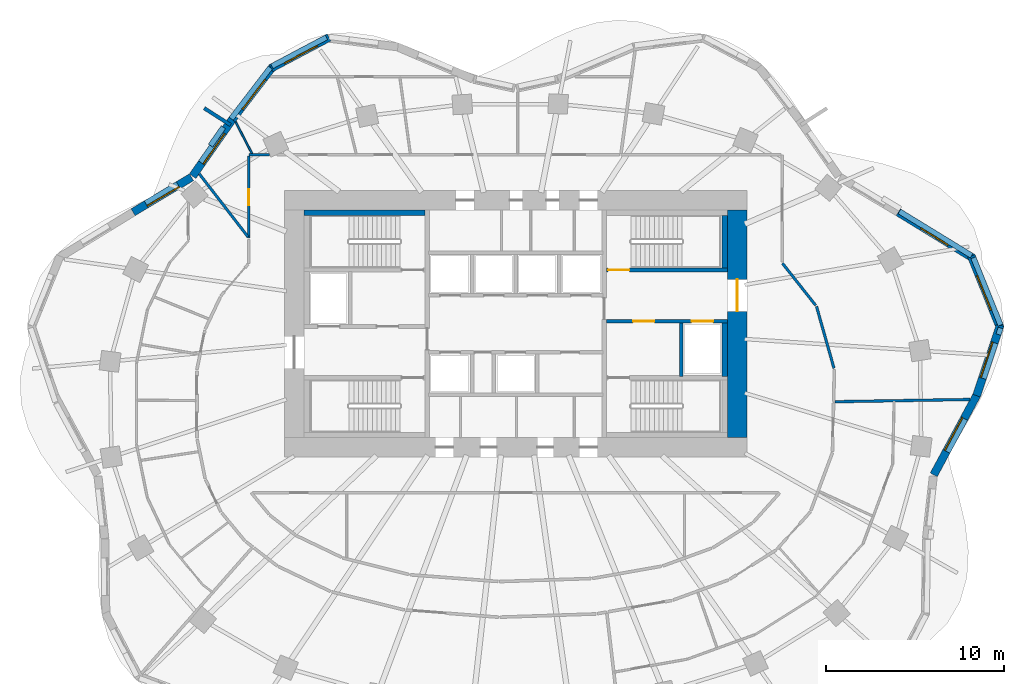
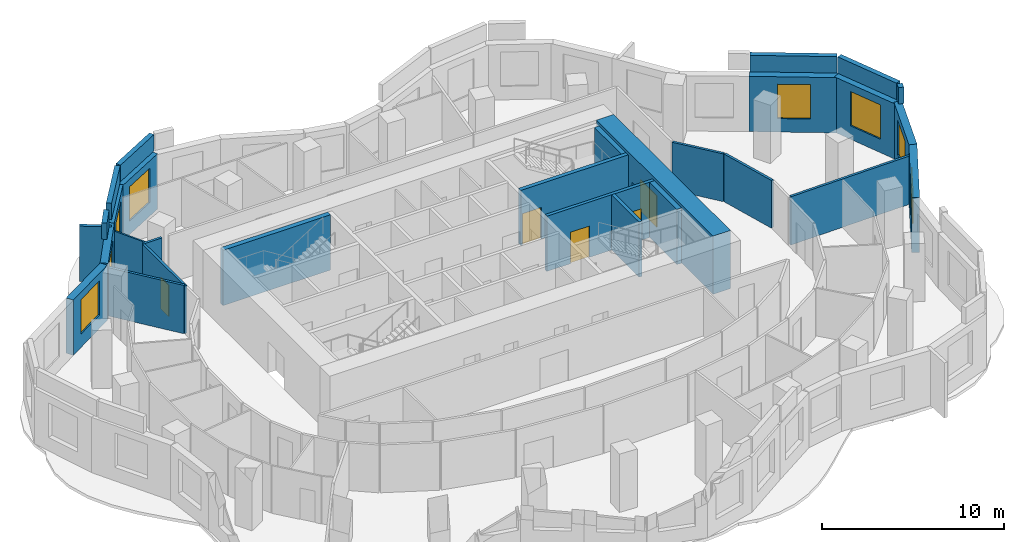
# One storey, part 7 of 10: 29 walls, 8 windows, 5 doors, 13 openings.
"""IFC4 building model written with IfcOpenShell, lengths in metres."""

from ifc_helpers import new_model, si_unit, direction, frame, frame_2d, origin, place, context, subcontext, project, spatial, rectangle, extrude, material, layer, layer_set, type_object, element, fill, save


model = new_model("IFC4")

# Units and contexts
model_context = context("Model", 3, precision=1e-05, world=origin(), true_north=direction((0.0, 1.0)))
body_context = subcontext(model_context, "Body", "Model", "MODEL_VIEW")
ifc_project = project(units=[si_unit("LENGTHUNIT", "METRE"), si_unit("AREAUNIT", "SQUARE_METRE"), si_unit("VOLUMEUNIT", "CUBIC_METRE"), si_unit("PLANEANGLEUNIT", "RADIAN"), si_unit("MASSUNIT", "GRAM", prefix="KILO")], contexts=[model_context])

# Site, building, storey
site_placement = place(None, origin())
site = spatial("IfcSite", under=ifc_project, at=site_placement, CompositionType="ELEMENT")
building_placement = place(site_placement, origin())
building = spatial("IfcBuilding", under=site, at=building_placement, Name="Rubra Terraces Tower", CompositionType="ELEMENT")
storey_placement = place(building_placement, frame((0.0, 0.0, 157.800048828125)))
storey = spatial("IfcBuildingStorey", under=building, at=storey_placement, Name="L38", CompositionType="ELEMENT", Elevation=157.800048828125)

# Wall, opening, window
ifc_material_1 = material(Name="Brick masonry red-brown", Category="masonry")
ifc_layer_1 = layer(ifc_material_1, 0.449951171875)
ifc_layer_set_1 = layer_set([ifc_layer_1], Name="Brick masonry red-brown")
wall_type_1 = type_object("IfcWallType", Name="Brick facade wall 450", PredefinedType="SOLIDWALL", material=ifc_layer_set_1)
wall_1_placement = place(storey_placement, frame((25.916748046875, 0.459228515625, 0.0), z_axis=(0.0, 0.0, 1.0), x_axis=(0.318032670005, 0.948079754456, 0.0)))
wall_1 = element("IfcWall", 1, at=wall_1_placement, inside=storey, type_object=wall_type_1, Name="Facade wall L38 bay 1", PredefinedType="SOLIDWALL", context=body_context, shape_type="SweptSolid", body=[
    extrude(rectangle(XDim=4.178466796875, YDim=0.449951171875, at=frame_2d((2.08935546875, 0.0))), origin(), (0.0, 0.0, 1.0), 3.699951171875),
])
opening_1_placement = place(wall_1_placement, frame((1.039306640625, 0.0, 0.89990234375)))
opening_1 = element("IfcOpeningElement", 2, at=opening_1_placement, cuts=wall_1, Name="Opening W1B", PredefinedType="OPENING", context=body_context, shape_type="SweptSolid", body=[
    extrude(rectangle(XDim=2.10009765625, YDim=2.300048828125, at=frame_2d((1.050048828125, 1.14990234375))), frame((0.0, 0.23486328125, 0.0), z_axis=(0.0, -1.0, 0.0), x_axis=(1.0, 0.0, 0.0)), (0.0, 0.0, 1.0), 0.469970703125),
])
ifc_material_2 = material(Name="Clear glass in aluminium frame", Category="aluminium")
window_type_1 = type_object("IfcWindowType", Name="Fixed deep-set window tall storey 2100 x 2300", PartitioningType="SINGLE_PANEL", PredefinedType="WINDOW", material=ifc_material_2)
window_1_placement = place(opening_1_placement, origin())
window_1 = element("IfcWindow", 3, at=window_1_placement, inside=storey, type_object=window_type_1, Name="Window L38 bay 1", OverallHeight=2.300048828125, OverallWidth=2.10009765625, PartitioningType="SINGLE_PANEL", PredefinedType="WINDOW", context=body_context, shape_type="SweptSolid", body=[
    extrude(rectangle(XDim=2.10009765625, YDim=2.300048828125, at=frame_2d((1.050048828125, 1.14990234375))), frame((0.0, 0.135009765625, 0.0), z_axis=(0.0, -1.0, 0.0), x_axis=(1.0, 0.0, 0.0)), (0.0, 0.0, 1.0), 0.06005859375),
])
fill(opening_1, window_1)

wall_2_placement = place(storey_placement, frame((27.250244140625, 4.264892578125, 0.0), z_axis=(0.0, 0.0, 1.0), x_axis=(-0.373899958574, 0.927469040442, 0.0)))
wall_2 = element("IfcWall", 4, at=wall_2_placement, inside=storey, type_object=wall_type_1, Name="Facade wall L38 bay 2", PredefinedType="SOLIDWALL", context=body_context, shape_type="SweptSolid", body=[
    extrude(rectangle(XDim=4.359130859375, YDim=0.449951171875, at=frame_2d((2.1796875, 0.0))), origin(), (0.0, 0.0, 1.0), 3.699951171875),
])
opening_2_placement = place(wall_2_placement, frame((1.129638671875, 0.0, 0.89990234375)))
opening_2 = element("IfcOpeningElement", 5, at=opening_2_placement, cuts=wall_2, Name="Opening W1B", PredefinedType="OPENING", context=body_context, shape_type="SweptSolid", body=[
    extrude(rectangle(XDim=2.10009765625, YDim=2.300048828125, at=frame_2d((1.050048828125, 1.14990234375))), frame((0.0, 0.23486328125, 0.0), z_axis=(0.0, -1.0, 0.0), x_axis=(1.0, 0.0, 0.0)), (0.0, 0.0, 1.0), 0.469970703125),
])
window_2_placement = place(opening_2_placement, origin())
window_2 = element("IfcWindow", 6, at=window_2_placement, inside=storey, type_object=window_type_1, Name="Window L38 bay 2", OverallHeight=2.300048828125, OverallWidth=2.10009765625, PartitioningType="SINGLE_PANEL", PredefinedType="WINDOW", context=body_context, shape_type="SweptSolid", body=[
    extrude(rectangle(XDim=2.10009765625, YDim=2.300048828125, at=frame_2d((1.050048828125, 1.14990234375))), frame((0.0, 0.135009765625, 0.0), z_axis=(0.0, -1.0, 0.0), x_axis=(1.0, 0.0, 0.0)), (0.0, 0.0, 1.0), 0.06005859375),
])
fill(opening_2, window_2)

wall_3_placement = place(storey_placement, frame((25.70751953125, 8.202392578125, 0.0), z_axis=(0.0, 0.0, 1.0), x_axis=(-0.852620493358, 0.522530663507, 0.0)))
wall_3 = element("IfcWall", 7, at=wall_3_placement, inside=storey, type_object=wall_type_1, Name="Facade wall L38 bay 3", PredefinedType="SOLIDWALL", context=body_context, shape_type="SweptSolid", body=[
    extrude(rectangle(XDim=4.923583984375, YDim=0.449951171875, at=frame_2d((2.4619140625, 0.0))), origin(), (0.0, 0.0, 1.0), 3.699951171875),
])
opening_3_placement = place(wall_3_placement, frame((1.561767578125, 0.0, 0.89990234375)))
opening_3 = element("IfcOpeningElement", 8, at=opening_3_placement, cuts=wall_3, Name="Opening W6B", PredefinedType="OPENING", context=body_context, shape_type="SweptSolid", body=[
    extrude(rectangle(XDim=1.800048828125, YDim=2.300048828125, at=frame_2d((0.89990234375, 1.14990234375))), frame((0.0, 0.23486328125, 0.0), z_axis=(0.0, -1.0, 0.0), x_axis=(1.0, 0.0, 0.0)), (0.0, 0.0, 1.0), 0.469970703125),
])
window_type_2 = type_object("IfcWindowType", Name="Fixed deep-set window at wind fin tall storey 1800 x 2300", PartitioningType="SINGLE_PANEL", PredefinedType="WINDOW", material=ifc_material_2)
window_3_placement = place(opening_3_placement, origin())
window_3 = element("IfcWindow", 9, at=window_3_placement, inside=storey, type_object=window_type_2, Name="Window L38 bay 3", OverallHeight=2.300048828125, OverallWidth=1.800048828125, PartitioningType="SINGLE_PANEL", PredefinedType="WINDOW", context=body_context, shape_type="SweptSolid", body=[
    extrude(rectangle(XDim=1.800048828125, YDim=2.300048828125, at=frame_2d((0.89990234375, 1.14990234375))), frame((0.0, 0.135009765625, 0.0), z_axis=(0.0, -1.0, 0.0), x_axis=(1.0, 0.0, 0.0)), (0.0, 0.0, 1.0), 0.06005859375),
])
fill(opening_3, window_3)

wall_4_placement = place(storey_placement, frame((-10.49169921875, 20.60009765625, 0.0), z_axis=(0.0, 0.0, 1.0), x_axis=(-0.883502778071, -0.46842591852, 0.0)))
wall_4 = element("IfcWall", 10, at=wall_4_placement, inside=storey, type_object=wall_type_1, Name="Facade wall L38 bay 14", PredefinedType="SOLIDWALL", context=body_context, shape_type="SweptSolid", body=[
    extrude(rectangle(XDim=3.6884765625, YDim=0.449951171875, at=frame_2d((1.84423828125, 0.0))), origin(), (0.0, 0.0, 1.0), 3.699951171875),
])
opening_4_placement = place(wall_4_placement, frame((0.79443359375, 0.0, 0.89990234375)))
opening_4 = element("IfcOpeningElement", 11, at=opening_4_placement, cuts=wall_4, Name="Opening W1B", PredefinedType="OPENING", context=body_context, shape_type="SweptSolid", body=[
    extrude(rectangle(XDim=2.10009765625, YDim=2.300048828125, at=frame_2d((1.050048828125, 1.14990234375))), frame((0.0, 0.23486328125, 0.0), z_axis=(0.0, -1.0, 0.0), x_axis=(1.0, 0.0, 0.0)), (0.0, 0.0, 1.0), 0.469970703125),
])
window_4_placement = place(opening_4_placement, origin())
window_4 = element("IfcWindow", 12, at=window_4_placement, inside=storey, type_object=window_type_1, Name="Window L38 bay 14", OverallHeight=2.300048828125, OverallWidth=2.10009765625, PartitioningType="SINGLE_PANEL", PredefinedType="WINDOW", context=body_context, shape_type="SweptSolid", body=[
    extrude(rectangle(XDim=2.10009765625, YDim=2.300048828125, at=frame_2d((1.050048828125, 1.14990234375))), frame((0.0, 0.135009765625, 0.0), z_axis=(0.0, -1.0, 0.0), x_axis=(1.0, 0.0, 0.0)), (0.0, 0.0, 1.0), 0.06005859375),
])
fill(opening_4, window_4)

wall_5_placement = place(storey_placement, frame((-13.678955078125, 18.93212890625, 0.0), z_axis=(0.0, 0.0, 1.0), x_axis=(-0.608206493093, -0.793778849403, 0.0)))
wall_5 = element("IfcWall", 13, at=wall_5_placement, inside=storey, type_object=wall_type_1, Name="Facade wall L38 bay 15", PredefinedType="SOLIDWALL", context=body_context, shape_type="SweptSolid", body=[
    extrude(rectangle(XDim=3.712646484375, YDim=0.449951171875, at=frame_2d((1.8564453125, 0.0))), origin(), (0.0, 0.0, 1.0), 3.699951171875),
])
opening_5_placement = place(wall_5_placement, frame((0.806396484375, 0.0, 0.89990234375)))
opening_5 = element("IfcOpeningElement", 14, at=opening_5_placement, cuts=wall_5, Name="Opening W1B", PredefinedType="OPENING", context=body_context, shape_type="SweptSolid", body=[
    extrude(rectangle(XDim=2.10009765625, YDim=2.300048828125, at=frame_2d((1.050048828125, 1.14990234375))), frame((0.0, 0.23486328125, 0.0), z_axis=(0.0, -1.0, 0.0), x_axis=(1.0, 0.0, 0.0)), (0.0, 0.0, 1.0), 0.469970703125),
])
window_5_placement = place(opening_5_placement, origin())
window_5 = element("IfcWindow", 15, at=window_5_placement, inside=storey, type_object=window_type_1, Name="Window L38 bay 15", OverallHeight=2.300048828125, OverallWidth=2.10009765625, PartitioningType="SINGLE_PANEL", PredefinedType="WINDOW", context=body_context, shape_type="SweptSolid", body=[
    extrude(rectangle(XDim=2.10009765625, YDim=2.300048828125, at=frame_2d((1.050048828125, 1.14990234375))), frame((0.0, 0.135009765625, 0.0), z_axis=(0.0, -1.0, 0.0), x_axis=(1.0, 0.0, 0.0)), (0.0, 0.0, 1.0), 0.06005859375),
])
fill(opening_5, window_5)

wall_6_placement = place(storey_placement, frame((-15.93115234375, 15.992919921875, 0.0), z_axis=(0.0, 0.0, 1.0), x_axis=(-0.572923675708, -0.819608724828, 0.0)))
wall_6 = element("IfcWall", 16, at=wall_6_placement, inside=storey, type_object=wall_type_1, Name="Facade wall L38 bay 16", PredefinedType="SOLIDWALL", context=body_context, shape_type="SweptSolid", body=[
    extrude(rectangle(XDim=3.89453125, YDim=0.449951171875, at=frame_2d((1.947265625, 0.0))), origin(), (0.0, 0.0, 1.0), 3.699951171875),
])
opening_6_placement = place(wall_6_placement, frame((0.897216796875, 0.0, 0.89990234375)))
opening_6 = element("IfcOpeningElement", 17, at=opening_6_placement, cuts=wall_6, Name="Opening W1B", PredefinedType="OPENING", context=body_context, shape_type="SweptSolid", body=[
    extrude(rectangle(XDim=2.10009765625, YDim=2.300048828125, at=frame_2d((1.050048828125, 1.14990234375))), frame((0.0, 0.23486328125, 0.0), z_axis=(0.0, -1.0, 0.0), x_axis=(1.0, 0.0, 0.0)), (0.0, 0.0, 1.0), 0.469970703125),
])
window_6_placement = place(opening_6_placement, origin())
window_6 = element("IfcWindow", 18, at=window_6_placement, inside=storey, type_object=window_type_1, Name="Window L38 bay 16", OverallHeight=2.300048828125, OverallWidth=2.10009765625, PartitioningType="SINGLE_PANEL", PredefinedType="WINDOW", context=body_context, shape_type="SweptSolid", body=[
    extrude(rectangle(XDim=2.10009765625, YDim=2.300048828125, at=frame_2d((1.050048828125, 1.14990234375))), frame((0.0, 0.135009765625, 0.0), z_axis=(0.0, -1.0, 0.0), x_axis=(1.0, 0.0, 0.0)), (0.0, 0.0, 1.0), 0.06005859375),
])
fill(opening_6, window_6)

wall_7_placement = place(storey_placement, frame((-18.224853515625, 12.74169921875, 0.0), z_axis=(0.0, 0.0, 1.0), x_axis=(-0.857965073766, -0.513708022322, 0.0)))
wall_7 = element("IfcWall", 19, at=wall_7_placement, inside=storey, type_object=wall_type_1, Name="Facade wall L38 bay 17", PredefinedType="SOLIDWALL", context=body_context, shape_type="SweptSolid", body=[
    extrude(rectangle(XDim=3.82958984375, YDim=0.449951171875, at=frame_2d((1.914794921875, 0.0))), origin(), (0.0, 0.0, 1.0), 3.699951171875),
])
opening_7_placement = place(wall_7_placement, frame((0.86474609375, 0.0, 0.89990234375)))
opening_7 = element("IfcOpeningElement", 20, at=opening_7_placement, cuts=wall_7, Name="Opening W1B", PredefinedType="OPENING", context=body_context, shape_type="SweptSolid", body=[
    extrude(rectangle(XDim=2.10009765625, YDim=2.300048828125, at=frame_2d((1.050048828125, 1.14990234375))), frame((0.0, 0.23486328125, 0.0), z_axis=(0.0, -1.0, 0.0), x_axis=(1.0, 0.0, 0.0)), (0.0, 0.0, 1.0), 0.469970703125),
])
window_7_placement = place(opening_7_placement, origin())
window_7 = element("IfcWindow", 21, at=window_7_placement, inside=storey, type_object=window_type_1, Name="Window L38 bay 17", OverallHeight=2.300048828125, OverallWidth=2.10009765625, PartitioningType="SINGLE_PANEL", PredefinedType="WINDOW", context=body_context, shape_type="SweptSolid", body=[
    extrude(rectangle(XDim=2.10009765625, YDim=2.300048828125, at=frame_2d((1.050048828125, 1.14990234375))), frame((0.0, 0.135009765625, 0.0), z_axis=(0.0, -1.0, 0.0), x_axis=(1.0, 0.0, 0.0)), (0.0, 0.0, 1.0), 0.06005859375),
])
fill(opening_7, window_7)

wall_8_placement = place(storey_placement, frame((23.508056640625, -3.990478515625, 0.0), z_axis=(0.0, 0.0, 1.0), x_axis=(0.475469958794, 0.879731958203, 0.0)))
wall_8 = element("IfcWall", 22, at=wall_8_placement, inside=storey, type_object=wall_type_1, Name="Facade wall L38 bay 40", PredefinedType="SOLIDWALL", context=body_context, shape_type="SweptSolid", body=[
    extrude(rectangle(XDim=5.09814453125, YDim=0.449951171875, at=frame_2d((2.549072265625, 0.0))), origin(), (0.0, 0.0, 1.0), 3.699951171875),
])
opening_8_placement = place(wall_8_placement, frame((1.4990234375, 0.0, 0.89990234375)))
opening_8 = element("IfcOpeningElement", 23, at=opening_8_placement, cuts=wall_8, Name="Opening W1B", PredefinedType="OPENING", context=body_context, shape_type="SweptSolid", body=[
    extrude(rectangle(XDim=2.10009765625, YDim=2.300048828125, at=frame_2d((1.050048828125, 1.14990234375))), frame((0.0, 0.23486328125, 0.0), z_axis=(0.0, -1.0, 0.0), x_axis=(1.0, 0.0, 0.0)), (0.0, 0.0, 1.0), 0.469970703125),
])
window_8_placement = place(opening_8_placement, origin())
window_8 = element("IfcWindow", 24, at=window_8_placement, inside=storey, type_object=window_type_1, Name="Window L38 bay 40", OverallHeight=2.300048828125, OverallWidth=2.10009765625, PartitioningType="SINGLE_PANEL", PredefinedType="WINDOW", context=body_context, shape_type="SweptSolid", body=[
    extrude(rectangle(XDim=2.10009765625, YDim=2.300048828125, at=frame_2d((1.050048828125, 1.14990234375))), frame((0.0, 0.135009765625, 0.0), z_axis=(0.0, -1.0, 0.0), x_axis=(1.0, 0.0, 0.0)), (0.0, 0.0, 1.0), 0.06005859375),
])
fill(opening_8, window_8)

# Walls
ifc_layer_2 = layer(ifc_material_1, 0.300048828125)
ifc_layer_set_2 = layer_set([ifc_layer_2], Name="Brick masonry red-brown")
wall_type_2 = type_object("IfcWallType", Name="Brick parapet 300", PredefinedType="PARAPET", material=ifc_layer_set_2)
wall_9_placement = place(storey_placement, frame((27.14990234375, 3.89892578125, 3.89990234375), z_axis=(0.0, 0.0, 1.0), x_axis=(0.317752569667, 0.948173667885, 0.0)))
element("IfcWall", 25, at=wall_9_placement, inside=storey, type_object=wall_type_2, Name="Parapet L38 bay 1", PredefinedType="PARAPET", context=body_context, shape_type="SweptSolid", body=[
    extrude(rectangle(XDim=0.38427734375, YDim=0.300048828125, at=frame_2d((0.192138671875, 0.0))), origin(), (0.0, 0.0, 1.0), 1.10009765625),
])
wall_10_placement = place(storey_placement, frame((27.267333984375, 4.42333984375, 3.89990234375), z_axis=(0.0, 0.0, 1.0), x_axis=(-0.373941833041, 0.927452158066, 0.0)))
element("IfcWall", 26, at=wall_10_placement, inside=storey, type_object=wall_type_2, Name="Parapet L38 bay 2", PredefinedType="PARAPET", context=body_context, shape_type="SweptSolid", body=[
    extrude(rectangle(XDim=4.089599609375, YDim=0.300048828125, at=frame_2d((2.044921875, 0.0))), origin(), (0.0, 0.0, 1.0), 1.10009765625),
])
wall_11_placement = place(storey_placement, frame((25.640625, 8.33154296875, 3.89990234375), z_axis=(0.0, 0.0, 1.0), x_axis=(-0.85262629133, 0.522521202758, 0.0)))
element("IfcWall", 27, at=wall_11_placement, inside=storey, type_object=wall_type_2, Name="Parapet L38 bay 3", PredefinedType="PARAPET", context=body_context, shape_type="SweptSolid", body=[
    extrude(rectangle(XDim=4.764404296875, YDim=0.300048828125, at=frame_2d((2.38232421875, 0.0))), origin(), (0.0, 0.0, 1.0), 1.10009765625),
])
wall_12_placement = place(storey_placement, frame((-10.63720703125, 20.60791015625, 3.89990234375), z_axis=(0.0, 0.0, 1.0), x_axis=(-0.88348638041, -0.468456845003, 0.0)))
element("IfcWall", 28, at=wall_12_placement, inside=storey, type_object=wall_type_2, Name="Parapet L38 bay 14", PredefinedType="PARAPET", context=body_context, shape_type="SweptSolid", body=[
    extrude(rectangle(XDim=3.46826171875, YDim=0.300048828125, at=frame_2d((1.734130859375, 0.0))), origin(), (0.0, 0.0, 1.0), 1.10009765625),
])
wall_13_placement = place(storey_placement, frame((-13.794921875, 18.904052734375, 3.89990234375), z_axis=(0.0, 0.0, 1.0), x_axis=(-0.608203510632, -0.793781134605, 0.0)))
element("IfcWall", 29, at=wall_13_placement, inside=storey, type_object=wall_type_2, Name="Parapet L38 bay 15", PredefinedType="PARAPET", context=body_context, shape_type="SweptSolid", body=[
    extrude(rectangle(XDim=3.619140625, YDim=0.300048828125, at=frame_2d((1.8095703125, 0.0))), origin(), (0.0, 0.0, 1.0), 1.10009765625),
])
wall_14_placement = place(storey_placement, frame((-16.431396484375, 15.553466796875, 3.89990234375), z_axis=(0.0, 0.0, 1.0), x_axis=(-0.572902892741, -0.819623252165, 0.0)))
element("IfcWall", 30, at=wall_14_placement, inside=storey, type_object=wall_type_2, Name="Parapet L38 bay 16", PredefinedType="PARAPET", context=body_context, shape_type="SweptSolid", body=[
    extrude(rectangle(XDim=1.259765625, YDim=0.300048828125, at=frame_2d((0.6298828125, 0.0))), origin(), (0.0, 0.0, 1.0), 1.10009765625),
])
ifc_layer_3 = layer(ifc_material_1, 0.199951171875)
ifc_layer_set_3 = layer_set([ifc_layer_3], Name="Brick masonry red-brown")
wall_type_3 = type_object("IfcWallType", Name="Brick wind fin 200", PredefinedType="SOLIDWALL", material=ifc_layer_set_3)
wall_15_placement = place(storey_placement, frame((-16.032958984375, 15.679931640625, 0.0), z_axis=(0.0, 0.0, 1.0), x_axis=(-0.842083858075, 0.539346619503, 0.0)))
element("IfcWall", 31, at=wall_15_placement, inside=storey, type_object=wall_type_3, Name="Wind fin L38 8", PredefinedType="SOLIDWALL", context=body_context, shape_type="SweptSolid", body=[
    extrude(rectangle(XDim=1.75, YDim=0.199951171875, at=frame_2d((0.875, 0.0))), origin(), (0.0, 0.0, 1.0), 3.699951171875),
])

# Wall, opening, door
ifc_material_3 = material(Name="Concrete C60", Category="concrete")
ifc_layer_4 = layer(ifc_material_3, 1.10009765625)
ifc_layer_set_4 = layer_set([ifc_layer_4], Name="Concrete C60")
wall_type_4 = type_object("IfcWallType", Name="CORE WALL 1100 C60", PredefinedType="SHEAR", material=ifc_layer_set_4)
wall_16_placement = place(storey_placement, frame((12.449951171875, -1.89990234375, 0.0), z_axis=(0.0, 0.0, 1.0), x_axis=(0.0, 1.0, 0.0)))
wall_16 = element("IfcWall", 32, at=wall_16_placement, inside=storey, type_object=wall_type_4, Name="CORE WALL E L38", PredefinedType="SHEAR", context=body_context, shape_type="SweptSolid", body=[
    extrude(rectangle(XDim=12.7998046875, YDim=1.10009765625, at=frame_2d((6.39990234375, 0.0))), origin(), (0.0, 0.0, 1.0), 3.89990234375),
])
opening_9_placement = place(wall_16_placement, frame((7.10009765625, 0.0, 0.0)))
opening_9 = element("IfcOpeningElement", 33, at=opening_9_placement, cuts=wall_16, Name="Opening L38.C02", PredefinedType="OPENING", context=body_context, shape_type="SweptSolid", body=[
    extrude(rectangle(XDim=1.800048828125, YDim=2.10009765625, at=frame_2d((0.89990234375, 1.050048828125))), frame((0.0, 0.56005859375, 0.0), z_axis=(0.0, -1.0, 0.0), x_axis=(1.0, 0.0, 0.0)), (0.0, 0.0, 1.0), 1.1201171875),
])
ifc_material_4 = material(Name="Painted steel", Category="steel")
door_type_1 = type_object("IfcDoorType", Name="Fire door 1800x2100 double", OperationType="NOTDEFINED", PredefinedType="DOOR", material=ifc_material_4)
door_1_placement = place(opening_9_placement, origin())
door_1 = element("IfcDoor", 34, at=door_1_placement, inside=storey, type_object=door_type_1, Name="Core entrance door FF2", OperationType="DOUBLE_DOOR_SINGLE_SWING", OverallHeight=2.10009765625, OverallWidth=1.800048828125, PredefinedType="DOOR", context=body_context, shape_type="SweptSolid", body=[
    extrude(rectangle(XDim=1.800048828125, YDim=2.10009765625, at=frame_2d((0.89990234375, 1.050048828125))), frame((0.0, 0.02490234375, 0.0), z_axis=(0.0, -1.0, 0.0), x_axis=(1.0, 0.0, 0.0)), (0.0, 0.0, 1.0), 0.050048828125),
])
fill(opening_9, door_1)

# Walls
ifc_material_5 = material(Name="Plasterboard on steel stud, mineral wool infill", Category="steel")
ifc_layer_5 = layer(ifc_material_5, 0.14990234375)
ifc_layer_set_5 = layer_set([ifc_layer_5], Name="Plasterboard on steel stud, mineral wool infill")
wall_type_5 = type_object("IfcWallType", Name="CORRIDOR PARTITION 150", PredefinedType="PARTITIONING", material=ifc_layer_set_5)
wall_17_placement = place(storey_placement, frame((17.89990234375, 1.999755859375, 0.0), z_axis=(0.0, 0.0, 1.0), x_axis=(-0.271937977746, 0.962314780235, 0.0)))
element("IfcWall", 35, at=wall_17_placement, inside=storey, type_object=wall_type_5, Name="PARTITION", PredefinedType="PARTITIONING", context=body_context, shape_type="SweptSolid", body=[
    extrude(rectangle(XDim=3.6162109375, YDim=0.14990234375, at=frame_2d((1.80810546875, 0.0))), origin(), (0.0, 0.0, 1.0), 3.197998046875),
])
wall_18_placement = place(storey_placement, frame((16.869873046875, 5.53857421875, 0.0), z_axis=(0.0, 0.0, 1.0), x_axis=(-0.620093074114, 0.784528252796, 0.0)))
element("IfcWall", 36, at=wall_18_placement, inside=storey, type_object=wall_type_5, Name="PARTITION", PredefinedType="PARTITIONING", context=body_context, shape_type="SweptSolid", body=[
    extrude(rectangle(XDim=3.015380859375, YDim=0.14990234375, at=frame_2d((1.5078125, 0.0))), origin(), (0.0, 0.0, 1.0), 3.197998046875),
])
wall_19_placement = place(storey_placement, frame((-13.841552734375, 14.0, 0.0), z_axis=(0.0, 0.0, 1.0), x_axis=(-1.0, 0.0, 0.0)))
element("IfcWall", 37, at=wall_19_placement, inside=storey, type_object=wall_type_5, Name="PARTITION", PredefinedType="PARTITIONING", context=body_context, shape_type="SweptSolid", body=[
    extrude(rectangle(XDim=1.158447265625, YDim=0.14990234375, at=frame_2d((0.5791015625, 0.0))), origin(), (0.0, 0.0, 1.0), 3.197998046875),
])

# Wall, opening, door
wall_20_placement = place(storey_placement, frame((-15.0, 13.925048828125, 0.0), z_axis=(0.0, 0.0, 1.0), x_axis=(0.0, -1.0, 0.0)))
wall_20 = element("IfcWall", 38, at=wall_20_placement, inside=storey, type_object=wall_type_5, Name="PARTITION", PredefinedType="PARTITIONING", context=body_context, shape_type="SweptSolid", body=[
    extrude(rectangle(XDim=4.596435546875, YDim=0.14990234375, at=frame_2d((2.29833984375, 0.0))), origin(), (0.0, 0.0, 1.0), 3.197998046875),
])
opening_10_placement = place(wall_20_placement, frame((1.85009765625, 0.0, 0.0)))
opening_10 = element("IfcOpeningElement", 39, at=opening_10_placement, cuts=wall_20, Name="Opening 38-122", PredefinedType="OPENING", context=body_context, shape_type="SweptSolid", body=[
    extrude(rectangle(XDim=0.89990234375, YDim=2.10009765625, at=frame_2d((0.449951171875, 1.050048828125))), frame((0.0, 0.0849609375, 0.0), z_axis=(0.0, -1.0, 0.0), x_axis=(1.0, 0.0, 0.0)), (0.0, 0.0, 1.0), 0.169921875),
])
ifc_material_6 = material(Name="Painted timber door leaf", Category="wood")
door_type_2 = type_object("IfcDoorType", Name="BATHROOM DOOR 900 X 2100", OperationType="SINGLE_SWING_LEFT", PredefinedType="DOOR", material=ifc_material_6)
door_2_placement = place(opening_10_placement, origin())
door_2 = element("IfcDoor", 40, at=door_2_placement, inside=storey, type_object=door_type_2, Name="DOOR 38-122", OperationType="SINGLE_SWING_RIGHT", OverallHeight=2.10009765625, OverallWidth=0.89990234375, PredefinedType="DOOR", context=body_context, shape_type="SweptSolid", body=[
    extrude(rectangle(XDim=0.89990234375, YDim=2.10009765625, at=frame_2d((0.449951171875, 1.050048828125))), frame((0.0, 0.02490234375, 0.0), z_axis=(0.0, -1.0, 0.0), x_axis=(1.0, 0.0, 0.0)), (0.0, 0.0, 1.0), 0.050048828125),
])
fill(opening_10, door_2)

# Walls
ifc_material_7 = material(Name="Concrete C40", Category="concrete")
ifc_layer_6 = layer(ifc_material_7, 0.300048828125)
ifc_layer_set_6 = layer_set([ifc_layer_6], Name="Concrete C40")
wall_type_6 = type_object("IfcWallType", Name="Core lining wall 300 concrete", PredefinedType="SOLIDWALL", material=ifc_layer_set_6)
wall_21_placement = place(storey_placement, frame((-11.89990234375, 10.75, 0.0), z_axis=(0.0, 0.0, 1.0), x_axis=(1.0, 0.0, 0.0)))
element("IfcWall", 41, at=wall_21_placement, inside=storey, type_object=wall_type_6, Name="CORE LINING WALL L38", PredefinedType="SOLIDWALL", context=body_context, shape_type="SweptSolid", body=[
    extrude(rectangle(XDim=6.7998046875, YDim=0.300048828125, at=frame_2d((3.39990234375, 0.0))), origin(), (0.0, 0.0, 1.0), 3.699951171875),
])
wall_22_placement = place(storey_placement, frame((11.75, 10.60009765625, 0.0), z_axis=(0.0, 0.0, 1.0), x_axis=(0.0, -1.0, 0.0)))
element("IfcWall", 42, at=wall_22_placement, inside=storey, type_object=wall_type_6, Name="CORE LINING WALL L38", PredefinedType="SOLIDWALL", context=body_context, shape_type="SweptSolid", body=[
    extrude(rectangle(XDim=2.9501953125, YDim=0.300048828125, at=frame_2d((1.47509765625, 0.0))), origin(), (0.0, 0.0, 1.0), 3.699951171875),
])
wall_23_placement = place(storey_placement, frame((11.75, 4.550048828125, 0.0), z_axis=(0.0, 0.0, 1.0), x_axis=(0.0, -1.0, 0.0)))
element("IfcWall", 43, at=wall_23_placement, inside=storey, type_object=wall_type_6, Name="CORE LINING WALL L38", PredefinedType="SOLIDWALL", context=body_context, shape_type="SweptSolid", body=[
    extrude(rectangle(XDim=3.0, YDim=0.300048828125, at=frame_2d((1.5, 0.0))), origin(), (0.0, 0.0, 1.0), 3.699951171875),
])

# Wall, openings, doors
ifc_material_8 = material(Name="Concrete C30", Category="concrete")
ifc_layer_7 = layer(ifc_material_8, 0.199951171875)
ifc_layer_set_7 = layer_set([ifc_layer_7], Name="Concrete C30")
wall_type_7 = type_object("IfcWallType", Name="Core wall 200 concrete", PredefinedType="SOLIDWALL", material=ifc_layer_set_7)
wall_24_placement = place(storey_placement, frame((11.89990234375, 4.64990234375, 0.0), z_axis=(0.0, 0.0, 1.0), x_axis=(-1.0, 0.0, 0.0)))
wall_24 = element("IfcWall", 44, at=wall_24_placement, inside=storey, type_object=wall_type_7, Name="STAIR WALL L38", PredefinedType="SOLIDWALL", context=body_context, shape_type="SweptSolid", body=[
    extrude(rectangle(XDim=6.7998046875, YDim=0.199951171875, at=frame_2d((3.39990234375, 0.0))), origin(), (0.0, 0.0, 1.0), 3.699951171875),
])
opening_11_placement = place(wall_24_placement, frame((4.10009765625, 0.0, 0.0)))
opening_11 = element("IfcOpeningElement", 45, at=opening_11_placement, cuts=wall_24, Name="Opening L38.C06", PredefinedType="OPENING", context=body_context, shape_type="SweptSolid", body=[
    extrude(rectangle(XDim=1.199951171875, YDim=2.10009765625, at=frame_2d((0.60009765625, 1.050048828125))), frame((0.0, 0.10986328125, 0.0), z_axis=(0.0, -1.0, 0.0), x_axis=(1.0, 0.0, 0.0)), (0.0, 0.0, 1.0), 0.219970703125),
])
opening_12_placement = place(wall_24_placement, frame((0.800048828125, 0.0, 0.0)))
opening_12 = element("IfcOpeningElement", 46, at=opening_12_placement, cuts=wall_24, Name="Opening L38.C12", PredefinedType="OPENING", context=body_context, shape_type="SweptSolid", body=[
    extrude(rectangle(XDim=1.199951171875, YDim=2.10009765625, at=frame_2d((0.60009765625, 1.050048828125))), frame((0.0, 0.10986328125, 0.0), z_axis=(0.0, -1.0, 0.0), x_axis=(1.0, 0.0, 0.0)), (0.0, 0.0, 1.0), 0.219970703125),
])
door_type_3 = type_object("IfcDoorType", Name="Fire door 1200x2100 single", OperationType="NOTDEFINED", PredefinedType="DOOR", material=ifc_material_4)
door_3_placement = place(opening_11_placement, origin())
door_3 = element("IfcDoor", 47, at=door_3_placement, inside=storey, type_object=door_type_3, Name="Stair vestibule door S4", OperationType="SINGLE_SWING_RIGHT", OverallHeight=2.10009765625, OverallWidth=1.199951171875, PredefinedType="DOOR", context=body_context, shape_type="SweptSolid", body=[
    extrude(rectangle(XDim=1.199951171875, YDim=2.10009765625, at=frame_2d((0.60009765625, 1.050048828125))), frame((0.0, 0.02490234375, 0.0), z_axis=(0.0, -1.0, 0.0), x_axis=(1.0, 0.0, 0.0)), (0.0, 0.0, 1.0), 0.050048828125),
])
fill(opening_11, door_3)
ifc_material_9 = material(Name="Stainless steel", Category="steel")
door_type_4 = type_object("IfcDoorType", Name="Lift landing door 1200x2100", OperationType="NOTDEFINED", PredefinedType="DOOR", material=ifc_material_9)
door_4_placement = place(opening_12_placement, origin())
door_4 = element("IfcDoor", 48, at=door_4_placement, inside=storey, type_object=door_type_4, Name="Landing door FF2", OperationType="SLIDING_TO_RIGHT", OverallHeight=2.10009765625, OverallWidth=1.199951171875, PredefinedType="DOOR", context=body_context, shape_type="SweptSolid", body=[
    extrude(rectangle(XDim=1.199951171875, YDim=2.10009765625, at=frame_2d((0.60009765625, 1.050048828125))), frame((0.0, 0.02490234375, 0.0), z_axis=(0.0, -1.0, 0.0), x_axis=(1.0, 0.0, 0.0)), (0.0, 0.0, 1.0), 0.050048828125),
])
fill(opening_12, door_4)

# Walls
wall_25_placement = place(storey_placement, frame((9.300048828125, 4.550048828125, 0.0), z_axis=(0.0, 0.0, 1.0), x_axis=(0.0, -1.0, 0.0)))
element("IfcWall", 49, at=wall_25_placement, inside=storey, type_object=wall_type_7, Name="STAIR WALL L38", PredefinedType="SOLIDWALL", context=body_context, shape_type="SweptSolid", body=[
    extrude(rectangle(XDim=3.0, YDim=0.199951171875, at=frame_2d((1.5, 0.0))), origin(), (0.0, 0.0, 1.0), 3.699951171875),
])
ifc_material_10 = material(Name="Plasterboard on steel stud", Category="steel")
ifc_layer_8 = layer(ifc_material_10, 0.10009765625)
ifc_layer_set_8 = layer_set([ifc_layer_8], Name="Plasterboard on steel stud")
wall_type_8 = type_object("IfcWallType", Name="ROOM PARTITION 100", PredefinedType="PARTITIONING", material=ifc_layer_set_8)
wall_26_placement = place(storey_placement, frame((-14.818603515625, 14.06640625, 0.0), z_axis=(0.0, 0.0, 1.0), x_axis=(-0.461451910157, 0.887165223965, 0.0)))
element("IfcWall", 50, at=wall_26_placement, inside=storey, type_object=wall_type_8, Name="PARTITION", PredefinedType="PARTITIONING", context=body_context, shape_type="SweptSolid", body=[
    extrude(rectangle(XDim=2.01513671875, YDim=0.10009765625, at=frame_2d((1.007568359375, 0.0))), origin(), (0.0, 0.0, 1.0), 3.183837890625),
])
ifc_layer_9 = layer(ifc_material_10, 0.14990234375)
ifc_layer_set_9 = layer_set([ifc_layer_9], Name="Plasterboard on steel stud")
wall_type_9 = type_object("IfcWallType", Name="ROOM PARTITION 150", PredefinedType="PARTITIONING", material=ifc_layer_set_9)
wall_27_placement = place(storey_placement, frame((25.5380859375, 0.2470703125, 0.0), z_axis=(0.0, 0.0, 1.0), x_axis=(-0.999857777193, -0.016864915832, 0.0)))
element("IfcWall", 51, at=wall_27_placement, inside=storey, type_object=wall_type_9, Name="PARTITION", PredefinedType="PARTITIONING", context=body_context, shape_type="SweptSolid", body=[
    extrude(rectangle(XDim=7.58544921875, YDim=0.14990234375, at=frame_2d((3.792724609375, 0.0))), origin(), (0.0, 0.0, 1.0), 3.23388671875),
])
wall_28_placement = place(storey_placement, frame((-17.789306640625, 12.935302734375, 0.0), z_axis=(0.0, 0.0, 1.0), x_axis=(0.611737193979, -0.791061063069, 0.0)))
element("IfcWall", 52, at=wall_28_placement, inside=storey, type_object=wall_type_9, Name="PARTITION", PredefinedType="PARTITIONING", context=body_context, shape_type="SweptSolid", body=[
    extrude(rectangle(XDim=4.484619140625, YDim=0.14990234375, at=frame_2d((2.2421875, 0.0))), origin(), (0.0, 0.0, 1.0), 3.23388671875),
])

# Wall, opening, door
ifc_layer_10 = layer(ifc_material_7, 0.25)
ifc_layer_set_10 = layer_set([ifc_layer_10], Name="Concrete C40")
wall_type_10 = type_object("IfcWallType", Name="Stair enclosure wall 250 concrete", PredefinedType="SOLIDWALL", material=ifc_layer_set_10)
wall_29_placement = place(storey_placement, frame((11.89990234375, 7.52490234375, 0.0), z_axis=(0.0, 0.0, 1.0), x_axis=(-1.0, 0.0, 0.0)))
wall_29 = element("IfcWall", 53, at=wall_29_placement, inside=storey, type_object=wall_type_10, Name="STAIR WALL L38", PredefinedType="SOLIDWALL", context=body_context, shape_type="SweptSolid", body=[
    extrude(rectangle(XDim=6.7998046875, YDim=0.25, at=frame_2d((3.39990234375, 0.0))), origin(), (0.0, 0.0, 1.0), 3.699951171875),
])
opening_13_placement = place(wall_29_placement, frame((5.5, 0.0, 0.0)))
opening_13 = element("IfcOpeningElement", 54, at=opening_13_placement, cuts=wall_29, Name="Opening L38.C08", PredefinedType="OPENING", context=body_context, shape_type="SweptSolid", body=[
    extrude(rectangle(XDim=1.199951171875, YDim=2.10009765625, at=frame_2d((0.60009765625, 1.050048828125))), frame((0.0, 0.135009765625, 0.0), z_axis=(0.0, -1.0, 0.0), x_axis=(1.0, 0.0, 0.0)), (0.0, 0.0, 1.0), 0.27001953125),
])
door_5_placement = place(opening_13_placement, origin())
door_5 = element("IfcDoor", 55, at=door_5_placement, inside=storey, type_object=door_type_3, Name="Stair door S3", OperationType="SINGLE_SWING_RIGHT", OverallHeight=2.10009765625, OverallWidth=1.199951171875, PredefinedType="DOOR", context=body_context, shape_type="SweptSolid", body=[
    extrude(rectangle(XDim=1.199951171875, YDim=2.10009765625, at=frame_2d((0.60009765625, 1.050048828125))), frame((0.0, 0.02490234375, 0.0), z_axis=(0.0, -1.0, 0.0), x_axis=(1.0, 0.0, 0.0)), (0.0, 0.0, 1.0), 0.050048828125),
])
fill(opening_13, door_5)

save(model, "model.ifc")
